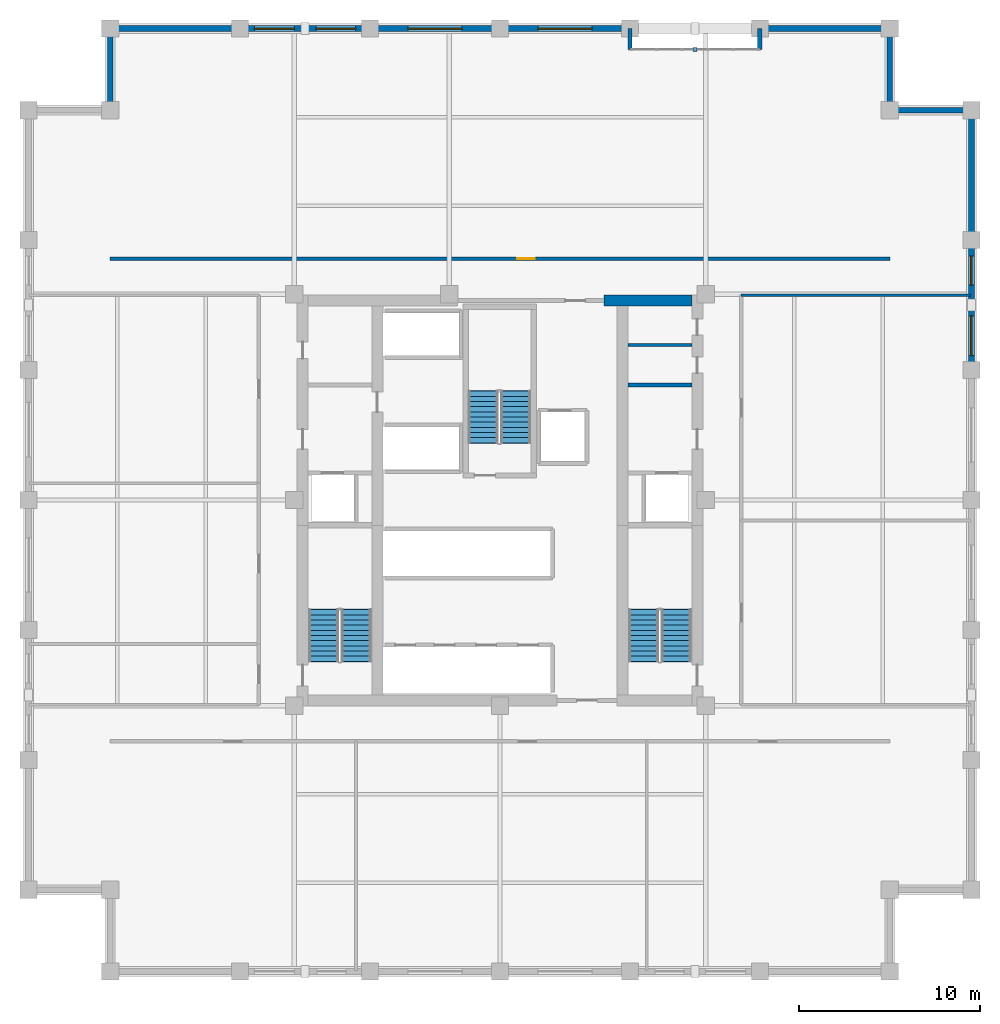
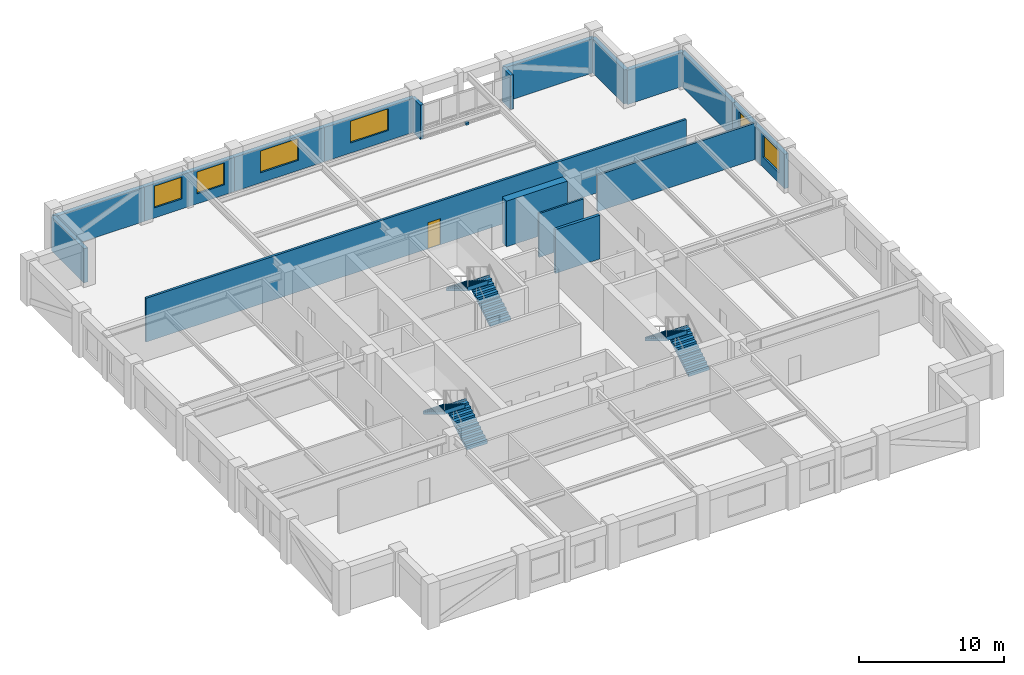
# One storey, part 6 of 8: 17 walls, 6 stair flights, 6 windows, 1 discrete accessory, 1 door, 7 openings, 3 elements without a shape of their own.
"""IFC4 building model written with IfcOpenShell, lengths in metres."""

from ifc_helpers import new_model, si_unit, direction, frame, frame_2d, origin, origin_2d, place, context, subcontext, project, spatial, polyline, rectangle, outline, extrude, material, layer, layer_set, type_object, element, fill, aggregate, save


model = new_model("IFC4")

# Units and contexts
model_context = context("Model", 3, precision=1e-05, world=origin(), true_north=direction((0.0, 1.0)))
body_context = subcontext(model_context, "Body", "Model", "MODEL_VIEW")
ifc_project = project(units=[si_unit("LENGTHUNIT", "METRE"), si_unit("AREAUNIT", "SQUARE_METRE"), si_unit("VOLUMEUNIT", "CUBIC_METRE"), si_unit("PLANEANGLEUNIT", "RADIAN"), si_unit("MASSUNIT", "GRAM", prefix="KILO")], contexts=[model_context])

# Site, building, storey
site_placement = place(None, origin())
site = spatial("IfcSite", under=ifc_project, at=site_placement, CompositionType="ELEMENT")
building_placement = place(site_placement, origin())
building = spatial("IfcBuilding", under=site, at=building_placement, Name="Nhamokura Convention Tower", CompositionType="ELEMENT")
storey_placement = place(building_placement, frame((0.0, 0.0, 137.550048828125)))
storey = spatial("IfcBuildingStorey", under=building, at=storey_placement, Name="L33", CompositionType="ELEMENT", Elevation=137.550048828125)

# Walls
ifc_material_1 = material(Name="Moisture-resistant tile-backer partition", Category="masonry")
ifc_layer_1 = layer(ifc_material_1, 0.139892578125)
ifc_layer_set_1 = layer_set([ifc_layer_1], Name="BathroomWetWall_140")
wall_type_1 = type_object("IfcWallType", Name="BathroomWetWall_140", PredefinedType="STANDARD", material=ifc_layer_set_1)
wall_1_placement = place(storey_placement, frame((39.06005859375, 40.550048828125, 0.0), z_axis=(0.0, 0.0, 1.0), x_axis=(1.0, 0.0, 0.0)))
element("IfcWall", 1, at=wall_1_placement, inside=storey, type_object=wall_type_1, Name="L33 Wall INT-L33-CWNE", PredefinedType="STANDARD", context=body_context, shape_type="SweptSolid", body=[
    extrude(rectangle(XDim=3.530029296875, YDim=0.139892578125, at=frame_2d((1.76513671875, 0.0))), origin(), (0.0, 0.0, 1.0), 3.68505859375),
])
ifc_material_2 = material(Name="Bronze-pigmented precast concrete C45/55", Category="concrete")
ifc_layer_2 = layer(ifc_material_2, 0.320068359375)
ifc_layer_set_2 = layer_set([ifc_layer_2], Name="BronzePrecastSpandrel_320")
wall_type_2 = type_object("IfcWallType", Name="BronzePrecastSpandrel_320", PredefinedType="USERDEFINED", material=ifc_layer_set_2)
for number, where, z_axis, x_axis, name in (
    (2, (39.166748046875, 58.0, 0.0), (0.0, 0.0, 1.0), (0.0, -1.0, 0.0), "L33 Scale Slot Cheek Wall NORTHA"),
    (3, (46.333251953125, 58.0, 0.0), (0.0, 0.0, 1.0), (0.0, -1.0, 0.0), "L33 Scale Slot Cheek Wall NORTHB"),
):
    element("IfcWall", number, at=place(storey_placement, frame(where, z_axis=z_axis, x_axis=x_axis)), inside=storey, type_object=wall_type_2, Name=name, ObjectType="SPANDREL_WALL", PredefinedType="USERDEFINED", context=body_context, shape_type="SweptSolid", body=[
        extrude(rectangle(XDim=1.14990234375, YDim=0.239990234375, at=frame_2d((0.574951171875, 0.0))), origin(), (0.0, 0.0, 1.0), 2.885009765625),
    ])
wall_2_placement = place(storey_placement, frame((10.5, 58.0, 0.0), z_axis=(0.0, 0.0, 1.0), x_axis=(1.0, 0.0, 0.0)))
element("IfcWall", 4, at=wall_2_placement, inside=storey, type_object=wall_type_2, Name="L33 Braced-Bay Precast Wall NORTH 0", ObjectType="SPANDREL_WALL", PredefinedType="USERDEFINED", context=body_context, shape_type="SweptSolid", body=[
    extrude(rectangle(XDim=7.166748046875, YDim=0.320068359375, at=frame_2d((3.58349609375, 0.0))), origin(), (0.0, 0.0, 1.0), 2.885009765625),
])

# Wall, openings, windows
wall_3_placement = place(storey_placement, frame((17.666748046875, 58.0, 0.0), z_axis=(0.0, 0.0, 1.0), x_axis=(1.0, 0.0, 0.0)))
wall_3 = element("IfcWall", 5, at=wall_3_placement, inside=storey, type_object=wall_type_2, Name="L33 Masonry-Frame Wall NORTH 1", ObjectType="SPANDREL_WALL", PredefinedType="USERDEFINED", context=body_context, shape_type="SweptSolid", body=[
    extrude(rectangle(XDim=7.16650390625, YDim=0.320068359375, at=frame_2d((3.583251953125, 0.0))), origin(), (0.0, 0.0, 1.0), 2.885009765625),
])
opening_1_placement = place(wall_3_placement, frame((0.791748046875, 0.0, 0.85009765625)))
opening_1 = element("IfcOpeningElement", 6, at=opening_1_placement, cuts=wall_3, Name="Opening W-06", PredefinedType="OPENING", context=body_context, shape_type="SweptSolid", body=[
    extrude(rectangle(XDim=2.199951171875, YDim=1.8349609375, at=frame_2d((1.10009765625, 0.91748046875))), frame((0.0, 0.169921875, 0.0), z_axis=(0.0, -1.0, 0.0), x_axis=(1.0, 0.0, 0.0)), (0.0, 0.0, 1.0), 0.340087890625),
])
opening_2_placement = place(wall_3_placement, frame((4.175048828125, 0.0, 0.85009765625)))
opening_2 = element("IfcOpeningElement", 7, at=opening_2_placement, cuts=wall_3, Name="Opening W-06", PredefinedType="OPENING", context=body_context, shape_type="SweptSolid", body=[
    extrude(rectangle(XDim=2.199951171875, YDim=1.8349609375, at=frame_2d((1.10009765625, 0.91748046875))), frame((0.0, 0.169921875, 0.0), z_axis=(0.0, -1.0, 0.0), x_axis=(1.0, 0.0, 0.0)), (0.0, 0.0, 1.0), 0.340087890625),
])
ifc_material_3 = material(Name="Solar-control bronze low-E double glass", Category="glass")
window_type_1 = type_object("IfcWindowType", Name="OfficeModuleWindow_Z2_2200", PartitioningType="SINGLE_PANEL", PredefinedType="WINDOW", material=ifc_material_3)
window_1_placement = place(opening_1_placement, origin())
window_1 = element("IfcWindow", 8, at=window_1_placement, inside=storey, type_object=window_type_1, Name="L33 Facade Window NORTH 1-1", OverallHeight=1.8349609375, OverallWidth=2.199951171875, PartitioningType="SINGLE_PANEL", PredefinedType="WINDOW", context=body_context, shape_type="SweptSolid", body=[
    extrude(rectangle(XDim=2.199951171875, YDim=1.8349609375, at=frame_2d((1.10009765625, 0.91748046875))), frame((0.0, 0.030029296875, 0.0), z_axis=(0.0, -1.0, 0.0), x_axis=(1.0, 0.0, 0.0)), (0.0, 0.0, 1.0), 0.06005859375),
])
fill(opening_1, window_1)
window_2_placement = place(opening_2_placement, origin())
window_2 = element("IfcWindow", 9, at=window_2_placement, inside=storey, type_object=window_type_1, Name="L33 Facade Window NORTH 1-2", OverallHeight=1.8349609375, OverallWidth=2.199951171875, PartitioningType="SINGLE_PANEL", PredefinedType="WINDOW", context=body_context, shape_type="SweptSolid", body=[
    extrude(rectangle(XDim=2.199951171875, YDim=1.8349609375, at=frame_2d((1.10009765625, 0.91748046875))), frame((0.0, 0.030029296875, 0.0), z_axis=(0.0, -1.0, 0.0), x_axis=(1.0, 0.0, 0.0)), (0.0, 0.0, 1.0), 0.06005859375),
])
fill(opening_2, window_2)

# Wall, opening, window
wall_4_placement = place(storey_placement, frame((24.833251953125, 58.0, 0.0), z_axis=(0.0, 0.0, 1.0), x_axis=(1.0, 0.0, 0.0)))
wall_4 = element("IfcWall", 10, at=wall_4_placement, inside=storey, type_object=wall_type_2, Name="L33 Masonry-Frame Wall NORTH 2", ObjectType="SPANDREL_WALL", PredefinedType="USERDEFINED", context=body_context, shape_type="SweptSolid", body=[
    extrude(rectangle(XDim=7.166748046875, YDim=0.320068359375, at=frame_2d((3.58349609375, 0.0))), origin(), (0.0, 0.0, 1.0), 2.885009765625),
])
opening_3_placement = place(wall_4_placement, frame((2.083251953125, 0.0, 0.85009765625)))
opening_3 = element("IfcOpeningElement", 11, at=opening_3_placement, cuts=wall_4, Name="Opening W-05", PredefinedType="OPENING", context=body_context, shape_type="SweptSolid", body=[
    extrude(rectangle(XDim=3.0, YDim=1.8349609375, at=frame_2d((1.5, 0.91748046875))), frame((0.0, 0.169921875, 0.0), z_axis=(0.0, -1.0, 0.0), x_axis=(1.0, 0.0, 0.0)), (0.0, 0.0, 1.0), 0.340087890625),
])
ifc_material_4 = material(Name="Solar-control bronze low-E double glass", Category="glass")
window_type_2 = type_object("IfcWindowType", Name="OfficeModuleWindow_Z2_3000", PartitioningType="DOUBLE_PANEL_VERTICAL", PredefinedType="WINDOW", material=ifc_material_4)
window_3_placement = place(opening_3_placement, origin())
window_3 = element("IfcWindow", 12, at=window_3_placement, inside=storey, type_object=window_type_2, Name="L33 Facade Window NORTH 2", OverallHeight=1.8349609375, OverallWidth=3.0, PartitioningType="SINGLE_PANEL", PredefinedType="WINDOW", context=body_context, shape_type="SweptSolid", body=[
    extrude(rectangle(XDim=3.0, YDim=1.8349609375, at=frame_2d((1.5, 0.91748046875))), frame((0.0, 0.030029296875, 0.0), z_axis=(0.0, -1.0, 0.0), x_axis=(1.0, 0.0, 0.0)), (0.0, 0.0, 1.0), 0.06005859375),
])
fill(opening_3, window_3)

wall_5_placement = place(storey_placement, frame((32.0, 58.0, 0.0), z_axis=(0.0, 0.0, 1.0), x_axis=(1.0, 0.0, 0.0)))
wall_5 = element("IfcWall", 13, at=wall_5_placement, inside=storey, type_object=wall_type_2, Name="L33 Masonry-Frame Wall NORTH 3", ObjectType="SPANDREL_WALL", PredefinedType="USERDEFINED", context=body_context, shape_type="SweptSolid", body=[
    extrude(rectangle(XDim=7.166748046875, YDim=0.320068359375, at=frame_2d((3.58349609375, 0.0))), origin(), (0.0, 0.0, 1.0), 2.885009765625),
])
opening_4_placement = place(wall_5_placement, frame((2.083251953125, 0.0, 0.85009765625)))
opening_4 = element("IfcOpeningElement", 14, at=opening_4_placement, cuts=wall_5, Name="Opening W-05", PredefinedType="OPENING", context=body_context, shape_type="SweptSolid", body=[
    extrude(rectangle(XDim=3.0, YDim=1.8349609375, at=frame_2d((1.5, 0.91748046875))), frame((0.0, 0.169921875, 0.0), z_axis=(0.0, -1.0, 0.0), x_axis=(1.0, 0.0, 0.0)), (0.0, 0.0, 1.0), 0.340087890625),
])
window_4_placement = place(opening_4_placement, origin())
window_4 = element("IfcWindow", 15, at=window_4_placement, inside=storey, type_object=window_type_2, Name="L33 Facade Window NORTH 3", OverallHeight=1.8349609375, OverallWidth=3.0, PartitioningType="SINGLE_PANEL", PredefinedType="WINDOW", context=body_context, shape_type="SweptSolid", body=[
    extrude(rectangle(XDim=3.0, YDim=1.8349609375, at=frame_2d((1.5, 0.91748046875))), frame((0.0, 0.030029296875, 0.0), z_axis=(0.0, -1.0, 0.0), x_axis=(1.0, 0.0, 0.0)), (0.0, 0.0, 1.0), 0.06005859375),
])
fill(opening_4, window_4)

# Wall
wall_6_placement = place(storey_placement, frame((46.333251953125, 58.0, 0.0), z_axis=(0.0, 0.0, 1.0), x_axis=(1.0, 0.0, 0.0)))
element("IfcWall", 16, at=wall_6_placement, inside=storey, type_object=wall_type_2, Name="L33 Braced-Bay Precast Wall NORTH 5", ObjectType="SPANDREL_WALL", PredefinedType="USERDEFINED", context=body_context, shape_type="SweptSolid", body=[
    extrude(rectangle(XDim=7.166748046875, YDim=0.320068359375, at=frame_2d((3.58349609375, 0.0))), origin(), (0.0, 0.0, 1.0), 2.885009765625),
])

# Wall, openings, windows
wall_7_placement = place(storey_placement, frame((58.0, 46.333251953125, 0.0), z_axis=(0.0, 0.0, 1.0), x_axis=(0.0, -1.0, 0.0)))
wall_7 = element("IfcWall", 17, at=wall_7_placement, inside=storey, type_object=wall_type_2, Name="L33 Masonry-Frame Wall EAST 4", ObjectType="SPANDREL_WALL", PredefinedType="USERDEFINED", context=body_context, shape_type="SweptSolid", body=[
    extrude(rectangle(XDim=7.16650390625, YDim=0.320068359375, at=frame_2d((3.583251953125, 0.0))), origin(), (0.0, 0.0, 1.0), 2.885009765625),
])
opening_5_placement = place(wall_7_placement, frame((0.879150390625, 0.0, 0.85009765625)))
opening_5 = element("IfcOpeningElement", 18, at=opening_5_placement, cuts=wall_7, Name="Opening W-11", PredefinedType="OPENING", context=body_context, shape_type="SweptSolid", body=[
    extrude(rectangle(XDim=1.60009765625, YDim=1.8349609375, at=frame_2d((0.800048828125, 0.91748046875))), frame((0.0, 0.169921875, 0.0), z_axis=(0.0, -1.0, 0.0), x_axis=(1.0, 0.0, 0.0)), (0.0, 0.0, 1.0), 0.340087890625),
])
opening_6_placement = place(wall_7_placement, frame((4.175048828125, 0.0, 0.85009765625)))
opening_6 = element("IfcOpeningElement", 19, at=opening_6_placement, cuts=wall_7, Name="Opening W-06", PredefinedType="OPENING", context=body_context, shape_type="SweptSolid", body=[
    extrude(rectangle(XDim=2.199951171875, YDim=1.8349609375, at=frame_2d((1.10009765625, 0.91748046875))), frame((0.0, 0.169921875, 0.0), z_axis=(0.0, -1.0, 0.0), x_axis=(1.0, 0.0, 0.0)), (0.0, 0.0, 1.0), 0.340087890625),
])
ifc_material_5 = material(Name="Solar-control bronze low-E double glass", Category="glass")
window_type_3 = type_object("IfcWindowType", Name="NotchCornerWindow_1600", PartitioningType="SINGLE_PANEL", PredefinedType="WINDOW", material=ifc_material_5)
window_5_placement = place(opening_5_placement, origin())
window_5 = element("IfcWindow", 20, at=window_5_placement, inside=storey, type_object=window_type_3, Name="L33 Facade Window EAST 4-1", OverallHeight=1.8349609375, OverallWidth=1.60009765625, PartitioningType="SINGLE_PANEL", PredefinedType="WINDOW", context=body_context, shape_type="SweptSolid", body=[
    extrude(rectangle(XDim=1.60009765625, YDim=1.8349609375, at=frame_2d((0.800048828125, 0.91748046875))), frame((0.0, 0.030029296875, 0.0), z_axis=(0.0, -1.0, 0.0), x_axis=(1.0, 0.0, 0.0)), (0.0, 0.0, 1.0), 0.06005859375),
])
fill(opening_5, window_5)
window_6_placement = place(opening_6_placement, origin())
window_6 = element("IfcWindow", 21, at=window_6_placement, inside=storey, type_object=window_type_1, Name="L33 Facade Window EAST 4-2", OverallHeight=1.8349609375, OverallWidth=2.199951171875, PartitioningType="SINGLE_PANEL", PredefinedType="WINDOW", context=body_context, shape_type="SweptSolid", body=[
    extrude(rectangle(XDim=2.199951171875, YDim=1.8349609375, at=frame_2d((1.10009765625, 0.91748046875))), frame((0.0, 0.030029296875, 0.0), z_axis=(0.0, -1.0, 0.0), x_axis=(1.0, 0.0, 0.0)), (0.0, 0.0, 1.0), 0.06005859375),
])
fill(opening_6, window_6)

# Walls
wall_8_placement = place(storey_placement, frame((58.0, 53.5, 0.0), z_axis=(0.0, 0.0, 1.0), x_axis=(0.0, -1.0, 0.0)))
element("IfcWall", 22, at=wall_8_placement, inside=storey, type_object=wall_type_2, Name="L33 Braced-Bay Precast Wall EAST 5", ObjectType="SPANDREL_WALL", PredefinedType="USERDEFINED", context=body_context, shape_type="SweptSolid", body=[
    extrude(rectangle(XDim=7.166748046875, YDim=0.320068359375, at=frame_2d((3.58349609375, 0.0))), origin(), (0.0, 0.0, 1.0), 2.885009765625),
])
for number, where, z_axis, x_axis, name in (
    (23, (53.5, 53.5, 0.0), (0.0, 0.0, 1.0), (1.0, 0.0, 0.0), "L33 Notched Corner Wall NE1"),
    (24, (53.5, 58.0, 0.0), (0.0, 0.0, 1.0), (0.0, -1.0, 0.0), "L33 Notched Corner Wall NE2"),
    (25, (10.5, 53.5, 0.0), (0.0, 0.0, 1.0), (0.0, 1.0, 0.0), "L33 Notched Corner Wall NW1"),
):
    element("IfcWall", number, at=place(storey_placement, frame(where, z_axis=z_axis, x_axis=x_axis)), inside=storey, type_object=wall_type_2, Name=name, ObjectType="SPANDREL_WALL", PredefinedType="USERDEFINED", context=body_context, shape_type="SweptSolid", body=[
        extrude(rectangle(XDim=4.5, YDim=0.320068359375, at=frame_2d((2.25, 0.0))), origin(), (0.0, 0.0, 1.0), 2.885009765625),
    ])
ifc_material_6 = material(Name="Concrete C60/75", Category="concrete")
ifc_layer_3 = layer(ifc_material_6, 0.60009765625)
ifc_layer_set_3 = layer_set([ifc_layer_3], Name="CoreShearWall_600")
wall_type_3 = type_object("IfcWallType", Name="CoreShearWall_600", PredefinedType="SHEAR", material=ifc_layer_set_3)
wall_9_placement = place(storey_placement, frame((37.75, 43.0, 0.0), z_axis=(0.0, 0.0, 1.0), x_axis=(1.0, 0.0, 0.0)))
element("IfcWall", 26, at=wall_9_placement, inside=storey, type_object=wall_type_3, Name="L33 Core Shear Wall CW-N2", PredefinedType="SHEAR", context=body_context, shape_type="SweptSolid", body=[
    extrude(rectangle(XDim=4.840087890625, YDim=0.60009765625, at=frame_2d((2.419921875, 0.0))), origin(), (0.0, 0.0, 1.0), 3.849853515625),
])

# Wall, opening, door
ifc_material_7 = material(Name="Fire-rated gypsum and masonry partition", Category="masonry")
ifc_layer_4 = layer(ifc_material_7, 0.179931640625)
ifc_layer_set_4 = layer_set([ifc_layer_4], Name="CorridorRatedWall_180")
wall_type_4 = type_object("IfcWallType", Name="CorridorRatedWall_180", PredefinedType="STANDARD", material=ifc_layer_set_4)
wall_10_placement = place(storey_placement, frame((10.5, 45.300048828125, 0.0), z_axis=(0.0, 0.0, 1.0), x_axis=(1.0, 0.0, 0.0)))
wall_10 = element("IfcWall", 27, at=wall_10_placement, inside=storey, type_object=wall_type_4, Name="L33 Wall INT-L33-CW-N00", PredefinedType="STANDARD", context=body_context, shape_type="SweptSolid", body=[
    extrude(rectangle(XDim=43.0, YDim=0.179931640625, at=frame_2d((21.5, 0.0))), origin(), (0.0, 0.0, 1.0), 3.68505859375),
])
opening_7_placement = place(wall_10_placement, frame((22.449951171875, 0.0, 0.0)))
opening_7 = element("IfcOpeningElement", 28, at=opening_7_placement, cuts=wall_10, Name="Opening D-08", PredefinedType="OPENING", context=body_context, shape_type="SweptSolid", body=[
    extrude(rectangle(XDim=0.97998046875, YDim=2.199951171875, at=frame_2d((0.489990234375, 1.10009765625))), frame((0.0, 0.099853515625, 0.0), z_axis=(0.0, -1.0, 0.0), x_axis=(1.0, 0.0, 0.0)), (0.0, 0.0, 1.0), 0.199951171875),
])
ifc_material_8 = material(Name="Solid oak hardwood", Category="wood")
door_type = type_object("IfcDoorType", Name="OfficeEntryDoor_980", OperationType="NOTDEFINED", PredefinedType="DOOR", material=ifc_material_8)
door_placement = place(opening_7_placement, origin())
door = element("IfcDoor", 29, at=door_placement, inside=storey, type_object=door_type, Name="L33 Lecture Hall N01 Door", OperationType="SINGLE_SWING_LEFT", OverallHeight=2.199951171875, OverallWidth=0.97998046875, PredefinedType="DOOR", context=body_context, shape_type="SweptSolid", body=[
    extrude(rectangle(XDim=0.97998046875, YDim=2.199951171875, at=frame_2d((0.489990234375, 1.10009765625))), frame((0.0, 0.02490234375, 0.0), z_axis=(0.0, -1.0, 0.0), x_axis=(1.0, 0.0, 0.0)), (0.0, 0.0, 1.0), 0.050048828125),
])
fill(opening_7, door)

# Walls
ifc_material_9 = material(Name="Autoclaved concrete blockwork", Category="masonry")
ifc_layer_5 = layer(ifc_material_9, 0.219970703125)
ifc_layer_set_5 = layer_set([ifc_layer_5], Name="FireLobbyWall_220")
wall_type_5 = type_object("IfcWallType", Name="FireLobbyWall_220", PredefinedType="STANDARD", material=ifc_layer_set_5)
wall_11_placement = place(storey_placement, frame((39.06005859375, 38.35009765625, 0.0), z_axis=(0.0, 0.0, 1.0), x_axis=(1.0, 0.0, 0.0)))
element("IfcWall", 30, at=wall_11_placement, inside=storey, type_object=wall_type_5, Name="L33 Wall INT-L33-FFE-N", PredefinedType="STANDARD", context=body_context, shape_type="SweptSolid", body=[
    extrude(rectangle(XDim=3.530029296875, YDim=0.219970703125, at=frame_2d((1.76513671875, 0.0))), origin(), (0.0, 0.0, 1.0), 3.68505859375),
])
ifc_material_10 = material(Name="Acoustic gypsum stud partition", Category="masonry")
ifc_layer_6 = layer(ifc_material_10, 0.14990234375)
ifc_layer_set_6 = layer_set([ifc_layer_6], Name="InteriorPartition_150")
wall_type_6 = type_object("IfcWallType", Name="InteriorPartition_150", PredefinedType="STANDARD", material=ifc_layer_set_6)
wall_12_placement = place(storey_placement, frame((45.300048828125, 43.300048828125, 0.0), z_axis=(0.0, 0.0, 1.0), x_axis=(1.0, 0.0, 0.0)))
element("IfcWall", 31, at=wall_12_placement, inside=storey, type_object=wall_type_6, Name="L33 Wall INT-L33-RWT-E", PredefinedType="STANDARD", context=body_context, shape_type="SweptSolid", body=[
    extrude(rectangle(XDim=12.639892578125, YDim=0.14990234375, at=frame_2d((6.31982421875, 0.0))), origin(), (0.0, 0.0, 1.0), 3.06494140625),
])

# Stair, stair flights
ifc_material_11 = material(Name="Concrete C40/50", Category="concrete")
stair_type = type_object("IfcStairType", Name="TowerCoreStair_1650", PredefinedType="HALF_TURN_STAIR", material=ifc_material_11)
stair_1_placement = place(storey_placement, origin())
stair_1 = element("IfcStair", 32, at=stair_1_placement, inside=storey, type_object=stair_type, Name="L33 West Core Smokeproof Stair ST-01", PredefinedType="HALF_TURN_STAIR")
ifc_material_12 = material(Name="Concrete C40/50", Category="concrete")
stair_flight_type = type_object("IfcStairFlightType", Name="TowerCoreStair_1650_Flight", PredefinedType="STRAIGHT", material=ifc_material_12)
stair_flight_1_placement = place(storey_placement, frame((24.074951171875, 23.10009765625, 0.0), z_axis=(0.0, 0.0, 1.0), x_axis=(0.0, 1.0, 0.0)))
stair_flight_1 = element("IfcStairFlight", 33, at=stair_flight_1_placement, type_object=stair_flight_type, Name="ST-01 flight 1", NumberOfRisers=11, NumberOfTreads=10, PredefinedType="STRAIGHT", RiserHeight=0.175, TreadLength=0.285, context=body_context, shape_type="SweptSolid", body=[
    extrude(outline(polyline([(-0.0419921875, 0.0), (0.0, 0.175048828125), (0.284912109375, 0.175048828125), (0.284912109375, 0.35009765625), (0.570068359375, 0.35009765625), (0.570068359375, 0.52490234375), (0.85498046875, 0.52490234375), (0.85498046875, 0.699951171875), (1.139892578125, 0.699951171875), (1.139892578125, 0.875), (1.425048828125, 0.875), (1.425048828125, 1.050048828125), (1.7099609375, 1.050048828125), (1.7099609375, 1.22509765625), (1.9951171875, 1.22509765625), (1.9951171875, 1.39990234375), (2.280029296875, 1.39990234375), (2.280029296875, 1.574951171875), (2.56494140625, 1.574951171875), (2.56494140625, 1.75), (2.85009765625, 1.75), (2.85009765625, 1.925048828125), (2.89208984375, 1.925048828125), (2.89208984375, 1.573974609375), (2.85009765625, 1.573974609375), (0.286376953125, 0.0), (0.02001953125, -0.1298828125), (-0.0419921875, -0.1298828125), (-0.0419921875, 0.0)])), frame((0.0, 0.824951171875, 0.0), z_axis=(0.0, -1.0, 0.0), x_axis=(1.0, 0.0, 0.0)), (0.0, 0.0, 1.0), 1.64990234375),
])
stair_flight_2_placement = place(storey_placement, frame((22.27490234375, 25.949951171875, 1.925048828125), z_axis=(0.0, 0.0, 1.0), x_axis=(0.0, -1.0, 0.0)))
stair_flight_2 = element("IfcStairFlight", 34, at=stair_flight_2_placement, type_object=stair_flight_type, Name="ST-01 flight 2", NumberOfRisers=11, NumberOfTreads=10, PredefinedType="STRAIGHT", RiserHeight=0.175, TreadLength=0.285, context=body_context, shape_type="SweptSolid", body=[
    extrude(outline(polyline([(-0.0419921875, 0.0), (0.0, 0.175048828125), (0.284912109375, 0.175048828125), (0.284912109375, 0.35009765625), (0.570068359375, 0.35009765625), (0.570068359375, 0.52490234375), (0.85498046875, 0.52490234375), (0.85498046875, 0.699951171875), (1.139892578125, 0.699951171875), (1.139892578125, 0.875), (1.425048828125, 0.875), (1.425048828125, 1.050048828125), (1.7099609375, 1.050048828125), (1.7099609375, 1.22509765625), (1.9951171875, 1.22509765625), (1.9951171875, 1.39990234375), (2.280029296875, 1.39990234375), (2.280029296875, 1.574951171875), (2.56494140625, 1.574951171875), (2.56494140625, 1.75), (2.85009765625, 1.75), (2.85009765625, 1.925048828125), (2.89208984375, 1.925048828125), (2.89208984375, 1.573974609375), (2.85009765625, 1.573974609375), (0.286376953125, 0.0), (0.02001953125, -0.1298828125), (-0.0419921875, -0.1298828125), (-0.0419921875, 0.0)])), frame((0.0, 0.824951171875, 0.0), z_axis=(0.0, -1.0, 0.0), x_axis=(1.0, 0.0, 0.0)), (0.0, 0.0, 1.0), 1.64990234375),
])
aggregate(stair_1, [stair_flight_1, stair_flight_2])

stair_2_placement = place(storey_placement, origin())
stair_2 = element("IfcStair", 35, at=stair_2_placement, inside=storey, type_object=stair_type, Name="L33 East Core Smokeproof Stair ST-02", PredefinedType="HALF_TURN_STAIR")
stair_flight_3_placement = place(storey_placement, frame((41.72509765625, 23.10009765625, 0.0), z_axis=(0.0, 0.0, 1.0), x_axis=(0.0, 1.0, 0.0)))
stair_flight_3 = element("IfcStairFlight", 36, at=stair_flight_3_placement, type_object=stair_flight_type, Name="ST-02 flight 1", NumberOfRisers=11, NumberOfTreads=10, PredefinedType="STRAIGHT", RiserHeight=0.175, TreadLength=0.285, context=body_context, shape_type="SweptSolid", body=[
    extrude(outline(polyline([(-0.0419921875, 0.0), (0.0, 0.175048828125), (0.284912109375, 0.175048828125), (0.284912109375, 0.35009765625), (0.570068359375, 0.35009765625), (0.570068359375, 0.52490234375), (0.85498046875, 0.52490234375), (0.85498046875, 0.699951171875), (1.139892578125, 0.699951171875), (1.139892578125, 0.875), (1.425048828125, 0.875), (1.425048828125, 1.050048828125), (1.7099609375, 1.050048828125), (1.7099609375, 1.22509765625), (1.9951171875, 1.22509765625), (1.9951171875, 1.39990234375), (2.280029296875, 1.39990234375), (2.280029296875, 1.574951171875), (2.56494140625, 1.574951171875), (2.56494140625, 1.75), (2.85009765625, 1.75), (2.85009765625, 1.925048828125), (2.89208984375, 1.925048828125), (2.89208984375, 1.573974609375), (2.85009765625, 1.573974609375), (0.286376953125, 0.0), (0.02001953125, -0.1298828125), (-0.0419921875, -0.1298828125), (-0.0419921875, 0.0)])), frame((0.0, 0.824951171875, 0.0), z_axis=(0.0, -1.0, 0.0), x_axis=(1.0, 0.0, 0.0)), (0.0, 0.0, 1.0), 1.64990234375),
])
stair_flight_4_placement = place(storey_placement, frame((39.925048828125, 25.949951171875, 1.925048828125), z_axis=(0.0, 0.0, 1.0), x_axis=(0.0, -1.0, 0.0)))
stair_flight_4 = element("IfcStairFlight", 37, at=stair_flight_4_placement, type_object=stair_flight_type, Name="ST-02 flight 2", NumberOfRisers=11, NumberOfTreads=10, PredefinedType="STRAIGHT", RiserHeight=0.175, TreadLength=0.285, context=body_context, shape_type="SweptSolid", body=[
    extrude(outline(polyline([(-0.0419921875, 0.0), (0.0, 0.175048828125), (0.284912109375, 0.175048828125), (0.284912109375, 0.35009765625), (0.570068359375, 0.35009765625), (0.570068359375, 0.52490234375), (0.85498046875, 0.52490234375), (0.85498046875, 0.699951171875), (1.139892578125, 0.699951171875), (1.139892578125, 0.875), (1.425048828125, 0.875), (1.425048828125, 1.050048828125), (1.7099609375, 1.050048828125), (1.7099609375, 1.22509765625), (1.9951171875, 1.22509765625), (1.9951171875, 1.39990234375), (2.280029296875, 1.39990234375), (2.280029296875, 1.574951171875), (2.56494140625, 1.574951171875), (2.56494140625, 1.75), (2.85009765625, 1.75), (2.85009765625, 1.925048828125), (2.89208984375, 1.925048828125), (2.89208984375, 1.573974609375), (2.85009765625, 1.573974609375), (0.286376953125, 0.0), (0.02001953125, -0.1298828125), (-0.0419921875, -0.1298828125), (-0.0419921875, 0.0)])), frame((0.0, 0.824951171875, 0.0), z_axis=(0.0, -1.0, 0.0), x_axis=(1.0, 0.0, 0.0)), (0.0, 0.0, 1.0), 1.64990234375),
])
aggregate(stair_2, [stair_flight_3, stair_flight_4])

stair_3_placement = place(storey_placement, origin())
stair_3 = element("IfcStair", 38, at=stair_3_placement, inside=storey, type_object=stair_type, Name="L33 North Core Smokeproof Stair ST-03", PredefinedType="HALF_TURN_STAIR")
stair_flight_5_placement = place(storey_placement, frame((32.875, 35.14990234375, 0.0), z_axis=(0.0, 0.0, 1.0), x_axis=(0.0, 1.0, 0.0)))
stair_flight_5 = element("IfcStairFlight", 39, at=stair_flight_5_placement, type_object=stair_flight_type, Name="ST-03 flight 1", NumberOfRisers=11, NumberOfTreads=10, PredefinedType="STRAIGHT", RiserHeight=0.175, TreadLength=0.285, context=body_context, shape_type="SweptSolid", body=[
    extrude(outline(polyline([(-0.0419921875, 0.0), (0.0, 0.175048828125), (0.284912109375, 0.175048828125), (0.284912109375, 0.35009765625), (0.570068359375, 0.35009765625), (0.570068359375, 0.52490234375), (0.85498046875, 0.52490234375), (0.85498046875, 0.699951171875), (1.139892578125, 0.699951171875), (1.139892578125, 0.875), (1.425048828125, 0.875), (1.425048828125, 1.050048828125), (1.7099609375, 1.050048828125), (1.7099609375, 1.22509765625), (1.9951171875, 1.22509765625), (1.9951171875, 1.39990234375), (2.280029296875, 1.39990234375), (2.280029296875, 1.574951171875), (2.56494140625, 1.574951171875), (2.56494140625, 1.75), (2.85009765625, 1.75), (2.85009765625, 1.925048828125), (2.89208984375, 1.925048828125), (2.89208984375, 1.573974609375), (2.85009765625, 1.573974609375), (0.286376953125, 0.0), (0.02001953125, -0.1298828125), (-0.0419921875, -0.1298828125), (-0.0419921875, 0.0)])), frame((0.0, 0.824951171875, 0.0), z_axis=(0.0, -1.0, 0.0), x_axis=(1.0, 0.0, 0.0)), (0.0, 0.0, 1.0), 1.64990234375),
])
stair_flight_6_placement = place(storey_placement, frame((31.074951171875, 38.0, 1.925048828125), z_axis=(0.0, 0.0, 1.0), x_axis=(0.0, -1.0, 0.0)))
stair_flight_6 = element("IfcStairFlight", 40, at=stair_flight_6_placement, type_object=stair_flight_type, Name="ST-03 flight 2", NumberOfRisers=11, NumberOfTreads=10, PredefinedType="STRAIGHT", RiserHeight=0.175, TreadLength=0.285, context=body_context, shape_type="SweptSolid", body=[
    extrude(outline(polyline([(-0.0419921875, 0.0), (0.0, 0.175048828125), (0.284912109375, 0.175048828125), (0.284912109375, 0.35009765625), (0.570068359375, 0.35009765625), (0.570068359375, 0.52490234375), (0.85498046875, 0.52490234375), (0.85498046875, 0.699951171875), (1.139892578125, 0.699951171875), (1.139892578125, 0.875), (1.425048828125, 0.875), (1.425048828125, 1.050048828125), (1.7099609375, 1.050048828125), (1.7099609375, 1.22509765625), (1.9951171875, 1.22509765625), (1.9951171875, 1.39990234375), (2.280029296875, 1.39990234375), (2.280029296875, 1.574951171875), (2.56494140625, 1.574951171875), (2.56494140625, 1.75), (2.85009765625, 1.75), (2.85009765625, 1.925048828125), (2.89208984375, 1.925048828125), (2.89208984375, 1.573974609375), (2.85009765625, 1.573974609375), (0.286376953125, 0.0), (0.02001953125, -0.1298828125), (-0.0419921875, -0.1298828125), (-0.0419921875, 0.0)])), frame((0.0, 0.824951171875, 0.0), z_axis=(0.0, -1.0, 0.0), x_axis=(1.0, 0.0, 0.0)), (0.0, 0.0, 1.0), 1.64990234375),
])
aggregate(stair_3, [stair_flight_5, stair_flight_6])

# Discrete accessory
ifc_material_13 = material(Name="Steel ASTM A572 Gr 50", Category="steel")
discrete_accessory_type = type_object("IfcDiscreteAccessoryType", Name="FacadeOutstandBracket", PredefinedType="BRACKET", material=ifc_material_13)
discrete_accessory_placement = place(storey_placement, frame((42.75, 56.85009765625, -0.02001953125), z_axis=(0.0, 0.0, 1.0), x_axis=(1.0, 0.0, 0.0)))
element("IfcDiscreteAccessory", 41, at=discrete_accessory_placement, inside=storey, type_object=discrete_accessory_type, Name="L33 Scale Slot Base Shoe Bracket NORTH 4", PredefinedType="BRACKET", context=body_context, shape_type="SweptSolid", body=[
    extrude(rectangle(XDim=0.219970703125, YDim=0.219970703125, at=origin_2d()), origin(), (0.0, 0.0, 1.0), 0.199951171875),
])

save(model, "model.ifc")
